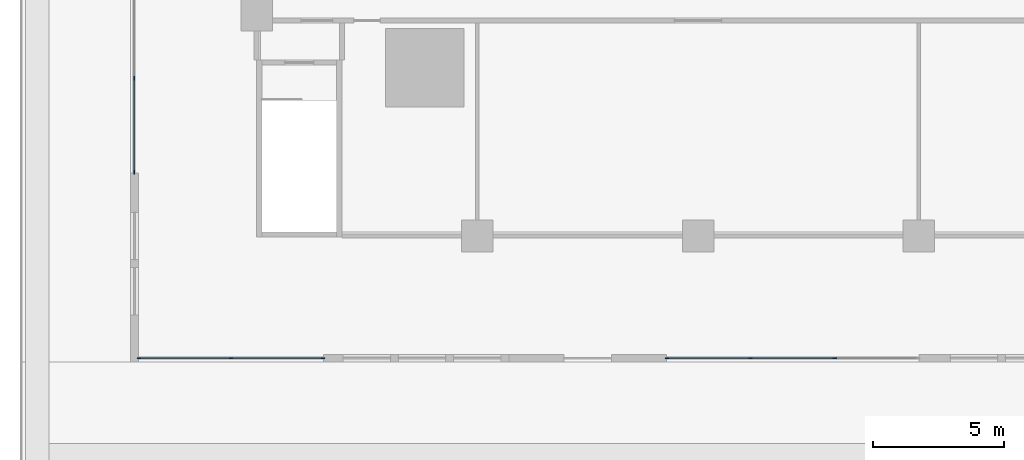
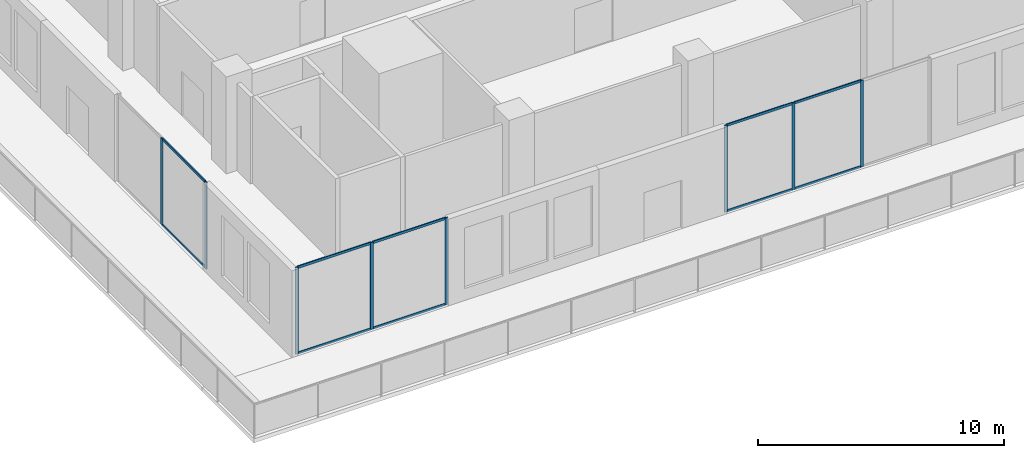
# One storey, part 2 of 22: 18 members, 3 elements without a shape of their own.
"""IFC4 building model written with IfcOpenShell, lengths in metres."""

from ifc_helpers import new_model, si_unit, direction, frame, origin, origin_2d, place, context, subcontext, project, spatial, rectangle, extrude, material, material_profile, profile_set, type_object, element, aggregate, save


model = new_model("IFC4")

# Units and contexts
model_context = context("Model", 3, precision=1e-05, world=origin(), true_north=direction((0.0, 1.0)))
body_context = subcontext(model_context, "Body", "Model", "MODEL_VIEW")
ifc_project = project(units=[si_unit("LENGTHUNIT", "METRE"), si_unit("AREAUNIT", "SQUARE_METRE"), si_unit("VOLUMEUNIT", "CUBIC_METRE"), si_unit("PLANEANGLEUNIT", "RADIAN"), si_unit("MASSUNIT", "GRAM", prefix="KILO")], contexts=[model_context])

# Site, building, storey
site_placement = place(None, origin())
site = spatial("IfcSite", under=ifc_project, at=site_placement, CompositionType="ELEMENT")
building_placement = place(site_placement, origin())
building = spatial("IfcBuilding", under=site, at=building_placement, Name="Khepri Terraces", CompositionType="ELEMENT")
storey_placement = place(building_placement, frame((0.0, 0.0, 22.199951171875)))
storey = spatial("IfcBuildingStorey", under=building, at=storey_placement, Name="L04", CompositionType="ELEMENT", Elevation=22.199951171875)

# Curtain wall, members
ifc_material_1 = material(Name="Anodised aluminium bronze curtain wall", Category="aluminium")
curtain_wall_type = type_object("IfcCurtainWallType", Name="CW-SYS6-LOUNGE", PredefinedType="NOTDEFINED", material=ifc_material_1)
curtain_wall_1_placement = place(storey_placement, origin())
curtain_wall_1 = element("IfcCurtainWall", 1, at=curtain_wall_1_placement, inside=storey, type_object=curtain_wall_type, Name="Curtain wall CW6 L04 S", PredefinedType="NOTDEFINED")
ifc_material_2 = material(Name="Anodised aluminium bronze", Category="aluminium")
ifc_material_profile_1 = material_profile(ifc_material_2, rectangle(XDim=0.050048828125, YDim=0.139892578125, at=origin_2d()), Name="Anodised aluminium bronze", Category="aluminium")
ifc_profile_set_1 = profile_set([ifc_material_profile_1], Name="Anodised aluminium bronze")
member_type_1 = type_object("IfcMemberType", Name="CW-MULLION-50x140", PredefinedType="MULLION", material=ifc_profile_set_1)
member_1_placement = place(storey_placement, frame((-29.675048828125, -29.85009765625, 0.0), z_axis=(0.0, 0.0, 1.0), x_axis=(0.0, 1.0, 0.0)))
member_1 = element("IfcMember", 2, at=member_1_placement, type_object=member_type_1, Name="CW6 mullion 1", PredefinedType="MULLION", context=body_context, shape_type="SweptSolid", body=[
    extrude(rectangle(XDim=0.050048828125, YDim=0.139892578125, at=origin_2d()), origin(), (0.0, 0.0, 1.0), 4.300048828125),
])
member_2_placement = place(storey_placement, frame((-26.175048828125, -29.85009765625, 0.0), z_axis=(0.0, 0.0, 1.0), x_axis=(0.0, 1.0, 0.0)))
member_2 = element("IfcMember", 3, at=member_2_placement, type_object=member_type_1, Name="CW6 mullion 2", PredefinedType="MULLION", context=body_context, shape_type="SweptSolid", body=[
    extrude(rectangle(XDim=0.050048828125, YDim=0.139892578125, at=origin_2d()), origin(), (0.0, 0.0, 1.0), 4.300048828125),
])
member_3_placement = place(storey_placement, frame((-22.675048828125, -29.85009765625, 0.0), z_axis=(0.0, 0.0, 1.0), x_axis=(0.0, 1.0, 0.0)))
member_3 = element("IfcMember", 4, at=member_3_placement, type_object=member_type_1, Name="CW6 mullion 3", PredefinedType="MULLION", context=body_context, shape_type="SweptSolid", body=[
    extrude(rectangle(XDim=0.050048828125, YDim=0.139892578125, at=origin_2d()), origin(), (0.0, 0.0, 1.0), 4.300048828125),
])

curtain_wall_2_placement = place(storey_placement, origin())
curtain_wall_2 = element("IfcCurtainWall", 5, at=curtain_wall_2_placement, inside=storey, type_object=curtain_wall_type, Name="Curtain wall CW6 L04 S", PredefinedType="NOTDEFINED")
member_4_placement = place(storey_placement, frame((-9.574951171875, -29.85009765625, 0.0), z_axis=(0.0, 0.0, 1.0), x_axis=(0.0, 1.0, 0.0)))
member_4 = element("IfcMember", 6, at=member_4_placement, type_object=member_type_1, Name="CW6 mullion 1", PredefinedType="MULLION", context=body_context, shape_type="SweptSolid", body=[
    extrude(rectangle(XDim=0.050048828125, YDim=0.139892578125, at=origin_2d()), origin(), (0.0, 0.0, 1.0), 4.300048828125),
])
member_5_placement = place(storey_placement, frame((-6.39990234375, -29.85009765625, 0.0), z_axis=(0.0, 0.0, 1.0), x_axis=(0.0, 1.0, 0.0)))
member_5 = element("IfcMember", 7, at=member_5_placement, type_object=member_type_1, Name="CW6 mullion 2", PredefinedType="MULLION", context=body_context, shape_type="SweptSolid", body=[
    extrude(rectangle(XDim=0.050048828125, YDim=0.139892578125, at=origin_2d()), origin(), (0.0, 0.0, 1.0), 4.300048828125),
])
member_6_placement = place(storey_placement, frame((-3.199951171875, -29.85009765625, 0.0), z_axis=(0.0, 0.0, 1.0), x_axis=(0.0, 1.0, 0.0)))
member_6 = element("IfcMember", 8, at=member_6_placement, type_object=member_type_1, Name="CW6 mullion 3", PredefinedType="MULLION", context=body_context, shape_type="SweptSolid", body=[
    extrude(rectangle(XDim=0.050048828125, YDim=0.139892578125, at=origin_2d()), origin(), (0.0, 0.0, 1.0), 4.300048828125),
])

curtain_wall_3_placement = place(storey_placement, origin())
curtain_wall_3 = element("IfcCurtainWall", 9, at=curtain_wall_3_placement, inside=storey, type_object=curtain_wall_type, Name="Curtain wall CW6 L04 W", PredefinedType="NOTDEFINED")
member_7_placement = place(storey_placement, frame((-29.85009765625, -19.199951171875, 0.0), z_axis=(0.0, 0.0, 1.0), x_axis=(1.0, 0.0, 0.0)))
member_7 = element("IfcMember", 10, at=member_7_placement, type_object=member_type_1, Name="CW6 mullion 2", PredefinedType="MULLION", context=body_context, shape_type="SweptSolid", body=[
    extrude(rectangle(XDim=0.050048828125, YDim=0.139892578125, at=origin_2d()), origin(), (0.0, 0.0, 1.0), 4.300048828125),
])
member_8_placement = place(storey_placement, frame((-29.85009765625, -22.77490234375, 0.0), z_axis=(0.0, 0.0, 1.0), x_axis=(1.0, 0.0, 0.0)))
member_8 = element("IfcMember", 11, at=member_8_placement, type_object=member_type_1, Name="CW6 mullion 3", PredefinedType="MULLION", context=body_context, shape_type="SweptSolid", body=[
    extrude(rectangle(XDim=0.050048828125, YDim=0.139892578125, at=origin_2d()), origin(), (0.0, 0.0, 1.0), 4.300048828125),
])

# Member
ifc_material_profile_2 = material_profile(ifc_material_2, rectangle(XDim=0.050048828125, YDim=0.1201171875, at=origin_2d()), Name="Anodised aluminium bronze", Category="aluminium")
ifc_profile_set_2 = profile_set([ifc_material_profile_2], Name="Anodised aluminium bronze")
member_type_2 = type_object("IfcMemberType", Name="CW-TRANSOM-50x120", PredefinedType="USERDEFINED", material=ifc_profile_set_2)
member_9_placement = place(storey_placement, frame((-29.64990234375, -29.85009765625, 0.025146484375), z_axis=(1.0, 0.0, 0.0), x_axis=(0.0, 1.0, 0.0)))
member_9 = element("IfcMember", 12, at=member_9_placement, type_object=member_type_2, Name="CW6 transom 1.1", ObjectType="TRANSOM", PredefinedType="USERDEFINED", context=body_context, shape_type="SweptSolid", body=[
    extrude(rectangle(XDim=0.050048828125, YDim=0.1201171875, at=origin_2d()), origin(), (0.0, 0.0, 1.0), 3.449951171875),
])

member_10_placement = place(storey_placement, frame((-29.64990234375, -29.85009765625, 4.275146484375), z_axis=(1.0, 0.0, 0.0), x_axis=(0.0, 1.0, 0.0)))
member_10 = element("IfcMember", 13, at=member_10_placement, type_object=member_type_2, Name="CW6 transom 1.2", ObjectType="TRANSOM", PredefinedType="USERDEFINED", context=body_context, shape_type="SweptSolid", body=[
    extrude(rectangle(XDim=0.050048828125, YDim=0.1201171875, at=origin_2d()), origin(), (0.0, 0.0, 1.0), 3.449951171875),
])

member_11_placement = place(storey_placement, frame((-26.14990234375, -29.85009765625, 0.025146484375), z_axis=(1.0, 0.0, 0.0), x_axis=(0.0, 1.0, 0.0)))
member_11 = element("IfcMember", 14, at=member_11_placement, type_object=member_type_2, Name="CW6 transom 2.1", ObjectType="TRANSOM", PredefinedType="USERDEFINED", context=body_context, shape_type="SweptSolid", body=[
    extrude(rectangle(XDim=0.050048828125, YDim=0.1201171875, at=origin_2d()), origin(), (0.0, 0.0, 1.0), 3.449951171875),
])

member_12_placement = place(storey_placement, frame((-26.14990234375, -29.85009765625, 4.275146484375), z_axis=(1.0, 0.0, 0.0), x_axis=(0.0, 1.0, 0.0)))
member_12 = element("IfcMember", 15, at=member_12_placement, type_object=member_type_2, Name="CW6 transom 2.2", ObjectType="TRANSOM", PredefinedType="USERDEFINED", context=body_context, shape_type="SweptSolid", body=[
    extrude(rectangle(XDim=0.050048828125, YDim=0.1201171875, at=origin_2d()), origin(), (0.0, 0.0, 1.0), 3.449951171875),
])

aggregate(curtain_wall_1, [member_1, member_2, member_3, member_9, member_10, member_11, member_12])

member_13_placement = place(storey_placement, frame((-9.550048828125, -29.85009765625, 0.025146484375), z_axis=(1.0, 0.0, 0.0), x_axis=(0.0, 1.0, 0.0)))
member_13 = element("IfcMember", 16, at=member_13_placement, type_object=member_type_2, Name="CW6 transom 1.1", ObjectType="TRANSOM", PredefinedType="USERDEFINED", context=body_context, shape_type="SweptSolid", body=[
    extrude(rectangle(XDim=0.050048828125, YDim=0.1201171875, at=origin_2d()), origin(), (0.0, 0.0, 1.0), 3.125),
])

member_14_placement = place(storey_placement, frame((-9.550048828125, -29.85009765625, 4.275146484375), z_axis=(1.0, 0.0, 0.0), x_axis=(0.0, 1.0, 0.0)))
member_14 = element("IfcMember", 17, at=member_14_placement, type_object=member_type_2, Name="CW6 transom 1.2", ObjectType="TRANSOM", PredefinedType="USERDEFINED", context=body_context, shape_type="SweptSolid", body=[
    extrude(rectangle(XDim=0.050048828125, YDim=0.1201171875, at=origin_2d()), origin(), (0.0, 0.0, 1.0), 3.125),
])

member_15_placement = place(storey_placement, frame((-6.375, -29.85009765625, 0.025146484375), z_axis=(1.0, 0.0, 0.0), x_axis=(0.0, 1.0, 0.0)))
member_15 = element("IfcMember", 18, at=member_15_placement, type_object=member_type_2, Name="CW6 transom 2.1", ObjectType="TRANSOM", PredefinedType="USERDEFINED", context=body_context, shape_type="SweptSolid", body=[
    extrude(rectangle(XDim=0.050048828125, YDim=0.1201171875, at=origin_2d()), origin(), (0.0, 0.0, 1.0), 3.14990234375),
])

member_16_placement = place(storey_placement, frame((-6.375, -29.85009765625, 4.275146484375), z_axis=(1.0, 0.0, 0.0), x_axis=(0.0, 1.0, 0.0)))
member_16 = element("IfcMember", 19, at=member_16_placement, type_object=member_type_2, Name="CW6 transom 2.2", ObjectType="TRANSOM", PredefinedType="USERDEFINED", context=body_context, shape_type="SweptSolid", body=[
    extrude(rectangle(XDim=0.050048828125, YDim=0.1201171875, at=origin_2d()), origin(), (0.0, 0.0, 1.0), 3.14990234375),
])

aggregate(curtain_wall_2, [member_4, member_5, member_6, member_13, member_14, member_15, member_16])

member_17_placement = place(storey_placement, frame((-29.85009765625, -19.22509765625, 0.025146484375), z_axis=(0.0, -1.0, 0.0), x_axis=(1.0, 0.0, 0.0)))
member_17 = element("IfcMember", 20, at=member_17_placement, type_object=member_type_2, Name="CW6 transom 2.1", ObjectType="TRANSOM", PredefinedType="USERDEFINED", context=body_context, shape_type="SweptSolid", body=[
    extrude(rectangle(XDim=0.050048828125, YDim=0.1201171875, at=origin_2d()), origin(), (0.0, 0.0, 1.0), 3.52490234375),
])

member_18_placement = place(storey_placement, frame((-29.85009765625, -19.22509765625, 4.275146484375), z_axis=(0.0, -1.0, 0.0), x_axis=(1.0, 0.0, 0.0)))
member_18 = element("IfcMember", 21, at=member_18_placement, type_object=member_type_2, Name="CW6 transom 2.2", ObjectType="TRANSOM", PredefinedType="USERDEFINED", context=body_context, shape_type="SweptSolid", body=[
    extrude(rectangle(XDim=0.050048828125, YDim=0.1201171875, at=origin_2d()), origin(), (0.0, 0.0, 1.0), 3.52490234375),
])

aggregate(curtain_wall_3, [member_7, member_8, member_17, member_18])

save(model, "model.ifc")
